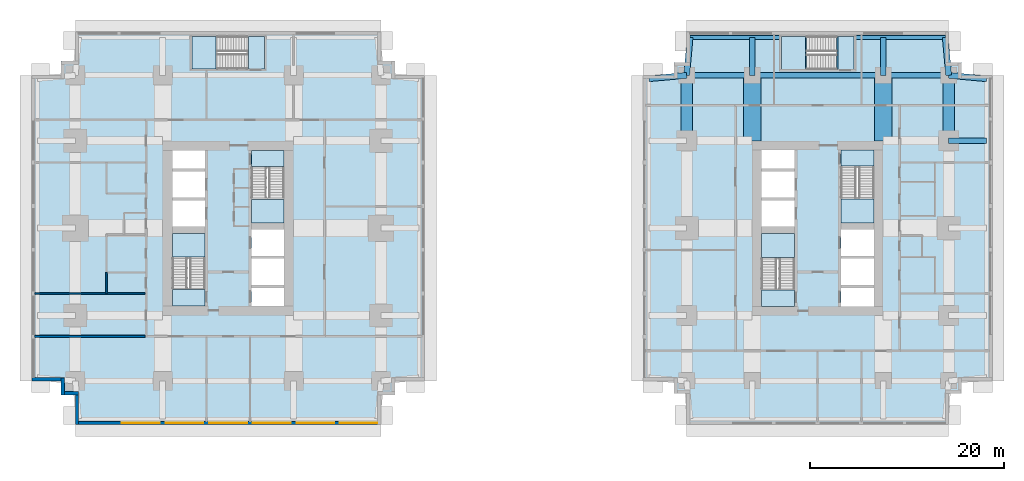
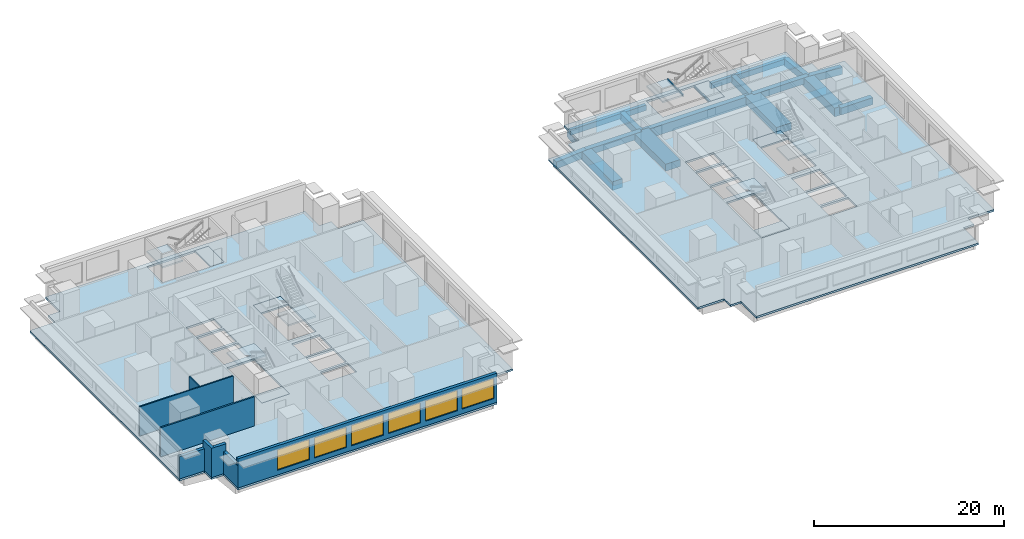
# One storey, part 2 of 11: 18 beams, 14 slabs, 8 walls, 6 windows, 6 openings, 6 elements without a shape of their own.
"""IFC4 building model written with IfcOpenShell, lengths in metres."""

from ifc_helpers import new_model, si_unit, direction, frame, frame_2d, origin, origin_2d, place, context, subcontext, project, spatial, polyline, rectangle, i_section, outline, extrude, material, layer, layer_set, material_profile, profile_set, type_object, element, fill, aggregate, save


model = new_model("IFC4")

# Units and contexts
model_context = context("Model", 3, precision=1e-05, world=origin(), true_north=direction((0.0, 1.0)))
body_context = subcontext(model_context, "Body", "Model", "MODEL_VIEW")
ifc_project = project(units=[si_unit("LENGTHUNIT", "METRE"), si_unit("AREAUNIT", "SQUARE_METRE"), si_unit("VOLUMEUNIT", "CUBIC_METRE"), si_unit("PLANEANGLEUNIT", "RADIAN"), si_unit("MASSUNIT", "GRAM", prefix="KILO")], contexts=[model_context])

# Site, building, storey
site_placement = place(None, origin())
site = spatial("IfcSite", under=ifc_project, at=site_placement, CompositionType="ELEMENT")
building_placement = place(site_placement, origin())
building = spatial("IfcBuilding", under=site, at=building_placement, Name="Namib Vertical Campus", CompositionType="ELEMENT")
storey_placement = place(building_placement, frame((0.0, 0.0, 61.0)))
storey = spatial("IfcBuildingStorey", under=building, at=storey_placement, Name="L14", CompositionType="ELEMENT", Elevation=61.0)

# Beams
ifc_material_1 = material(Name="Concrete C40/50", Category="concrete")
ifc_material_profile_1 = material_profile(ifc_material_1, rectangle(XDim=0.60009765625, YDim=0.89990234375, at=origin_2d()))
ifc_profile_set_1 = profile_set([ifc_material_profile_1], Name="Concrete C40/50")
beam_type_1 = type_object("IfcBeamType", Name="Cantilever girder RC 600x900", PredefinedType="BEAM", material=ifc_profile_set_1)
beam_1_placement = place(storey_placement, frame((67.5, 36.0, -0.699951171875), z_axis=(0.089411326146, 0.995994786511, 0.0), x_axis=(-0.995994786511, 0.089411326146, 0.0)))
element("IfcBeam", 1, at=beam_1_placement, inside=storey, type_object=beam_type_1, Name="Beam B3 L14", PredefinedType="BEAM", context=body_context, shape_type="SweptSolid", body=[
    extrude(rectangle(XDim=0.60009765625, YDim=0.89990234375, at=origin_2d()), origin(), (0.0, 0.0, 1.0), 3.91552734375),
])
for number, where, z_axis, x_axis, name in (
    (2, (74.25, 36.0, -0.699951171875), (0.0, 1.0, 0.0), (-1.0, 0.0, 0.0), "Beam B3 L14"),
    (3, (87.75, 36.0, -0.699951171875), (0.0, 1.0, 0.0), (-1.0, 0.0, 0.0), "Beam B3 L14"),
):
    element("IfcBeam", number, at=place(storey_placement, frame(where, z_axis=z_axis, x_axis=x_axis)), inside=storey, type_object=beam_type_1, Name=name, PredefinedType="BEAM", context=body_context, shape_type="SweptSolid", body=[
        extrude(rectangle(XDim=0.60009765625, YDim=0.89990234375, at=origin_2d()), origin(), (0.0, 0.0, 1.0), 3.89990234375),
    ])
for number, where, z_axis, x_axis, name in (
    (4, (94.5, 36.0, -0.699951171875), (-0.089411326146, 0.995994786511, 0.0), (-0.995994786511, -0.089411326146, 0.0), "Beam B3 L14"),
    (5, (67.5, 36.0, -0.699951171875), (-0.995994786511, -0.089411326146, 0.0), (0.089411326146, -0.995994786511, 0.0), "Beam B3 L14"),
):
    element("IfcBeam", number, at=place(storey_placement, frame(where, z_axis=z_axis, x_axis=x_axis)), inside=storey, type_object=beam_type_1, Name=name, PredefinedType="BEAM", context=body_context, shape_type="SweptSolid", body=[
        extrude(rectangle(XDim=0.60009765625, YDim=0.89990234375, at=origin_2d()), origin(), (0.0, 0.0, 1.0), 3.91552734375),
    ])
beam_2_placement = place(storey_placement, frame((94.5, 29.25, -0.699951171875), z_axis=(1.0, 0.0, 0.0), x_axis=(0.0, 1.0, 0.0)))
element("IfcBeam", 6, at=beam_2_placement, inside=storey, type_object=beam_type_1, Name="Beam B3 L14", PredefinedType="BEAM", context=body_context, shape_type="SweptSolid", body=[
    extrude(rectangle(XDim=0.60009765625, YDim=0.89990234375, at=origin_2d()), origin(), (0.0, 0.0, 1.0), 3.89990234375),
])
beam_3_placement = place(storey_placement, frame((94.5, 36.0, -0.699951171875), z_axis=(0.995994786511, -0.089411326146, 0.0), x_axis=(0.089411326146, 0.995994786511, 0.0)))
element("IfcBeam", 7, at=beam_3_placement, inside=storey, type_object=beam_type_1, Name="Beam B3 L14", PredefinedType="BEAM", context=body_context, shape_type="SweptSolid", body=[
    extrude(rectangle(XDim=0.60009765625, YDim=0.89990234375, at=origin_2d()), origin(), (0.0, 0.0, 1.0), 3.91552734375),
])
ifc_material_2 = material(Name="Concrete C40/50", Category="concrete")
ifc_material_profile_2 = material_profile(ifc_material_2, rectangle(XDim=0.39990234375, YDim=0.699951171875, at=origin_2d()))
ifc_profile_set_2 = profile_set([ifc_material_profile_2], Name="Concrete C40/50")
beam_type_2 = type_object("IfcBeamType", Name="Edge beam RC 400x700", PredefinedType="SPANDREL", material=ifc_profile_set_2)
for number, where, z_axis, x_axis, name in (
    (8, (67.85009765625, 39.89990234375, -0.60009765625), (1.0, 0.0, 0.0), (0.0, 1.0, 0.0), "Beam B4 L14"),
    (9, (84.949951171875, 39.89990234375, -0.60009765625), (1.0, 0.0, 0.0), (0.0, 1.0, 0.0), "Beam B4 L14"),
):
    element("IfcBeam", number, at=place(storey_placement, frame(where, z_axis=z_axis, x_axis=x_axis)), inside=storey, type_object=beam_type_2, Name=name, PredefinedType="SPANDREL", context=body_context, shape_type="SweptSolid", body=[
        extrude(rectangle(XDim=0.39990234375, YDim=0.699951171875, at=origin_2d()), origin(), (0.0, 0.0, 1.0), 9.199951171875),
    ])
ifc_material_3 = material(Name="Concrete C40/50", Category="concrete")
ifc_material_profile_3 = material_profile(ifc_material_3, rectangle(XDim=1.199951171875, YDim=1.10009765625, at=origin_2d()))
ifc_profile_set_3 = profile_set([ifc_material_profile_3], Name="Concrete C40/50")
beam_type_3 = type_object("IfcBeamType", Name="Face ring beam RC 1200x1100", PredefinedType="BEAM", material=ifc_profile_set_3)
for number, where, z_axis, x_axis, name in (
    (10, (67.5, 29.25, -0.800048828125), (0.0, 1.0, 0.0), (-1.0, 0.0, 0.0), "Beam B11 L14"),
    (11, (94.5, 29.25, -0.800048828125), (0.0, 1.0, 0.0), (-1.0, 0.0, 0.0), "Beam B11 L14"),
):
    element("IfcBeam", number, at=place(storey_placement, frame(where, z_axis=z_axis, x_axis=x_axis)), inside=storey, type_object=beam_type_3, Name=name, PredefinedType="BEAM", context=body_context, shape_type="SweptSolid", body=[
        extrude(rectangle(XDim=1.199951171875, YDim=1.10009765625, at=origin_2d()), origin(), (0.0, 0.0, 1.0), 6.75),
    ])
ifc_material_4 = material(Name="Steel S355JR", Category="steel")
ifc_material_profile_4 = material_profile(ifc_material_4, i_section(OverallWidth=0.14599609375, OverallDepth=0.25146484375, WebThickness=0.006103515625, FlangeThickness=0.008544921875, FilletRadius=0.007568359375, at=origin_2d()))
ifc_profile_set_4 = profile_set([ifc_material_profile_4], Name="Steel S355JR")
beam_type_4 = type_object("IfcBeamType", Name="Landing trimmer UB 254x146x31", PredefinedType="BEAM", material=ifc_profile_set_4)
for number, where, z_axis, x_axis, name in (
    (12, (83.02294921875, 36.60009765625, -0.125732421875), (0.0, 1.0, 0.0), (-1.0, 0.0, 0.0), "Landing trimmer LT1 B-S3 L14 1"),
    (13, (79.796875, 36.60009765625, 1.874267578125), (0.0, 1.0, 0.0), (-1.0, 0.0, 0.0), "Landing trimmer LT1 B-S3 L14 2"),
):
    element("IfcBeam", number, at=place(storey_placement, frame(where, z_axis=z_axis, x_axis=x_axis)), inside=storey, type_object=beam_type_4, Name=name, PredefinedType="BEAM", context=body_context, shape_type="SweptSolid", body=[
        extrude(i_section(OverallWidth=0.14599609375, OverallDepth=0.25146484375, WebThickness=0.006103515625, FlangeThickness=0.008544921875, FilletRadius=0.007568359375, at=origin_2d()), origin(), (0.0, 0.0, 1.0), 3.39990234375),
    ])
ifc_material_5 = material(Name="Concrete C40/50", Category="concrete")
ifc_material_profile_5 = material_profile(ifc_material_5, rectangle(XDim=0.60009765625, YDim=1.199951171875, at=origin_2d()))
ifc_profile_set_5 = profile_set([ifc_material_profile_5], Name="Concrete C40/50")
beam_type_5 = type_object("IfcBeamType", Name="Long-span ring beam RC 600x1200", PredefinedType="BEAM", material=ifc_profile_set_5)
beam_4_placement = place(storey_placement, frame((74.25, 36.0, -0.85009765625), z_axis=(1.0, 0.0, 0.0), x_axis=(0.0, 1.0, 0.0)))
element("IfcBeam", 14, at=beam_4_placement, inside=storey, type_object=beam_type_5, Name="Beam B9 L14", PredefinedType="BEAM", context=body_context, shape_type="SweptSolid", body=[
    extrude(rectangle(XDim=0.60009765625, YDim=1.199951171875, at=origin_2d()), origin(), (0.0, 0.0, 1.0), 13.5),
])
ifc_material_6 = material(Name="Concrete C40/50", Category="concrete")
ifc_material_profile_6 = material_profile(ifc_material_6, rectangle(XDim=1.800048828125, YDim=0.89990234375, at=origin_2d()))
ifc_profile_set_6 = profile_set([ifc_material_profile_6], Name="Concrete C40/50")
beam_type_6 = type_object("IfcBeamType", Name="Outrigger line girder RC 1800x900", PredefinedType="BEAM", material=ifc_profile_set_6)
for number, where, z_axis, x_axis, name in (
    (15, (74.25, 36.0, -0.699951171875), (0.0, -1.0, 0.0), (1.0, 0.0, 0.0), "Beam B12 L14"),
    (16, (87.75, 36.0, -0.699951171875), (0.0, -1.0, 0.0), (1.0, 0.0, 0.0), "Beam B12 L14"),
):
    element("IfcBeam", number, at=place(storey_placement, frame(where, z_axis=z_axis, x_axis=x_axis)), inside=storey, type_object=beam_type_6, Name=name, PredefinedType="BEAM", context=body_context, shape_type="SweptSolid", body=[
        extrude(rectangle(XDim=1.800048828125, YDim=0.89990234375, at=origin_2d()), origin(), (0.0, 0.0, 1.0), 6.75),
    ])
ifc_material_7 = material(Name="Concrete C40/50", Category="concrete")
ifc_material_profile_7 = material_profile(ifc_material_7, rectangle(XDim=0.60009765625, YDim=0.800048828125, at=origin_2d()))
ifc_profile_set_7 = profile_set([ifc_material_profile_7], Name="Concrete C40/50")
beam_type_7 = type_object("IfcBeamType", Name="Ring beam RC 600x800", PredefinedType="BEAM", material=ifc_profile_set_7)
for number, where, z_axis, x_axis, name in (
    (17, (67.5, 36.0, -0.64990234375), (1.0, 0.0, 0.0), (0.0, 1.0, 0.0), "Beam B1 L14"),
    (18, (87.75, 36.0, -0.64990234375), (1.0, 0.0, 0.0), (0.0, 1.0, 0.0), "Beam B1 L14"),
):
    element("IfcBeam", number, at=place(storey_placement, frame(where, z_axis=z_axis, x_axis=x_axis)), inside=storey, type_object=beam_type_7, Name=name, PredefinedType="BEAM", context=body_context, shape_type="SweptSolid", body=[
        extrude(rectangle(XDim=0.60009765625, YDim=0.800048828125, at=origin_2d()), origin(), (0.0, 0.0, 1.0), 6.75),
    ])

# Slabs
ifc_material_8 = material(Name="Concrete C40/50", Category="concrete")
ifc_layer_1 = layer(ifc_material_8, 0.25)
ifc_layer_set_1 = layer_set([ifc_layer_1], Name="Concrete C40/50")
slab_type_1 = type_object("IfcSlabType", Name="Floor slab 250", PredefinedType="FLOOR", material=ifc_layer_set_1)
slab_1_placement = place(storey_placement, frame((0.0, 0.0, -0.25)))
element("IfcSlab", 19, at=slab_1_placement, inside=storey, type_object=slab_type_1, Name="Floor slab A L14", PredefinedType="FLOOR", context=body_context, shape_type="SweptSolid", body=[
    extrude(outline(polyline([(4.5, 0.0), (36.0, 0.0), (36.0, 3.050048828125), (37.449951171875, 3.050048828125), (37.449951171875, 4.5), (40.5, 4.5), (40.5, 36.0), (37.449951171875, 36.0), (37.449951171875, 37.449951171875), (36.0, 37.449951171875), (36.0, 40.5), (4.5, 40.5), (4.5, 37.449951171875), (3.050048828125, 37.449951171875), (3.050048828125, 36.0), (0.0, 36.0), (0.0, 4.5), (3.050048828125, 4.5), (3.050048828125, 3.050048828125), (4.5, 3.050048828125), (4.5, 0.0)]), holes=[polyline([(14.5, 12.25), (17.85009765625, 12.25), (17.85009765625, 19.699951171875), (14.5, 19.699951171875), (14.5, 12.25)]), polyline([(22.64990234375, 20.800048828125), (26.0, 20.800048828125), (26.0, 28.25), (22.64990234375, 28.25), (22.64990234375, 20.800048828125)]), polyline([(22.64990234375, 12.25), (26.0, 12.25), (26.0, 14.10009765625), (22.64990234375, 14.10009765625), (22.64990234375, 12.25)]), polyline([(14.5, 20.39990234375), (17.85009765625, 20.39990234375), (17.85009765625, 23.10009765625), (14.5, 23.10009765625), (14.5, 20.39990234375)]), polyline([(14.5, 23.39990234375), (17.85009765625, 23.39990234375), (17.85009765625, 26.10009765625), (14.5, 26.10009765625), (14.5, 23.39990234375)]), polyline([(14.5, 26.39990234375), (17.85009765625, 26.39990234375), (17.85009765625, 28.25), (14.5, 28.25), (14.5, 26.39990234375)]), polyline([(22.64990234375, 14.39990234375), (26.0, 14.39990234375), (26.0, 17.10009765625), (22.64990234375, 17.10009765625), (22.64990234375, 14.39990234375)]), polyline([(22.64990234375, 17.39990234375), (26.0, 17.39990234375), (26.0, 20.10009765625), (22.64990234375, 20.10009765625), (22.64990234375, 17.39990234375)]), polyline([(16.5, 36.64990234375), (24.0, 36.64990234375), (24.0, 40.0), (16.5, 40.0), (16.5, 36.64990234375)])]), origin(), (0.0, 0.0, 1.0), 0.25),
])
slab_2_placement = place(storey_placement, frame((0.0, 0.0, -0.25)))
element("IfcSlab", 20, at=slab_2_placement, inside=storey, type_object=slab_type_1, Name="Floor slab B L14", PredefinedType="FLOOR", context=body_context, shape_type="SweptSolid", body=[
    extrude(outline(polyline([(67.5, 0.0), (94.5, 0.0), (94.5, 3.199951171875), (95.800048828125, 3.199951171875), (95.800048828125, 4.5), (99.0, 4.5), (99.0, 36.0), (95.800048828125, 36.0), (95.800048828125, 37.300048828125), (94.5, 37.300048828125), (94.5, 40.5), (67.5, 40.5), (67.5, 37.300048828125), (66.199951171875, 37.300048828125), (66.199951171875, 36.0), (63.0, 36.0), (63.0, 4.5), (66.199951171875, 4.5), (66.199951171875, 3.199951171875), (67.5, 3.199951171875), (67.5, 0.0)]), holes=[polyline([(75.199951171875, 12.199951171875), (78.60009765625, 12.199951171875), (78.60009765625, 19.699951171875), (75.199951171875, 19.699951171875), (75.199951171875, 12.199951171875)]), polyline([(83.39990234375, 20.800048828125), (86.800048828125, 20.800048828125), (86.800048828125, 28.300048828125), (83.39990234375, 28.300048828125), (83.39990234375, 20.800048828125)]), polyline([(83.39990234375, 12.199951171875), (86.800048828125, 12.199951171875), (86.800048828125, 14.10009765625), (83.39990234375, 14.10009765625), (83.39990234375, 12.199951171875)]), polyline([(75.199951171875, 20.39990234375), (78.60009765625, 20.39990234375), (78.60009765625, 23.10009765625), (75.199951171875, 23.10009765625), (75.199951171875, 20.39990234375)]), polyline([(75.199951171875, 23.39990234375), (78.60009765625, 23.39990234375), (78.60009765625, 26.10009765625), (75.199951171875, 26.10009765625), (75.199951171875, 23.39990234375)]), polyline([(75.199951171875, 26.39990234375), (78.60009765625, 26.39990234375), (78.60009765625, 28.300048828125), (75.199951171875, 28.300048828125), (75.199951171875, 26.39990234375)]), polyline([(83.39990234375, 14.39990234375), (86.800048828125, 14.39990234375), (86.800048828125, 17.10009765625), (83.39990234375, 17.10009765625), (83.39990234375, 14.39990234375)]), polyline([(83.39990234375, 17.39990234375), (86.800048828125, 17.39990234375), (86.800048828125, 20.10009765625), (83.39990234375, 20.10009765625), (83.39990234375, 17.39990234375)]), polyline([(77.25, 36.60009765625), (84.75, 36.60009765625), (84.75, 40.0), (77.25, 40.0), (77.25, 36.60009765625)])]), origin(), (0.0, 0.0, 1.0), 0.25),
])

# Stair, slabs
ifc_material_9 = material(Name="Concrete C40/50 precast", Category="concrete")
stair_type_1 = type_object("IfcStairType", Name="Exit stair 4000 rise 24 risers 3350 wide", PredefinedType="HALF_TURN_STAIR", material=ifc_material_9)
stair_1_placement = place(storey_placement, origin())
stair_1 = element("IfcStair", 21, at=stair_1_placement, inside=storey, type_object=stair_type_1, Name="Exit stair A-S1 L14", PredefinedType="HALF_TURN_STAIR")
ifc_material_10 = material(Name="Concrete C40/50", Category="concrete")
ifc_layer_2 = layer(ifc_material_10, 0.199951171875)
ifc_layer_set_2 = layer_set([ifc_layer_2], Name="Concrete C40/50")
slab_type_2 = type_object("IfcSlabType", Name="Stair landing 200", PredefinedType="LANDING", material=ifc_layer_set_2)
slab_3_placement = place(storey_placement, frame((0.0, 0.0, -0.199951171875)))
slab_3 = element("IfcSlab", 22, at=slab_3_placement, type_object=slab_type_2, Name="A-S1 landing 1", PredefinedType="LANDING", context=body_context, shape_type="SweptSolid", body=[
    extrude(outline(polyline([(14.5, 12.25), (17.85009765625, 12.25), (17.85009765625, 13.90380859375), (14.5, 13.90380859375), (14.5, 12.25)])), origin(), (0.0, 0.0, 1.0), 0.199951171875),
])
slab_4_placement = place(storey_placement, frame((0.0, 0.0, 1.800048828125)))
slab_4 = element("IfcSlab", 23, at=slab_4_placement, type_object=slab_type_2, Name="A-S1 landing 2", PredefinedType="LANDING", context=body_context, shape_type="SweptSolid", body=[
    extrude(outline(polyline([(14.5, 17.276123046875), (17.85009765625, 17.276123046875), (17.85009765625, 19.699951171875), (14.5, 19.699951171875), (14.5, 17.276123046875)])), origin(), (0.0, 0.0, 1.0), 0.199951171875),
])
aggregate(stair_1, [slab_3, slab_4])

stair_2_placement = place(storey_placement, origin())
stair_2 = element("IfcStair", 24, at=stair_2_placement, inside=storey, type_object=stair_type_1, Name="Exit stair A-S2 L14", PredefinedType="HALF_TURN_STAIR")
slab_5_placement = place(storey_placement, frame((0.0, 0.0, -0.199951171875)))
slab_5 = element("IfcSlab", 25, at=slab_5_placement, type_object=slab_type_2, Name="A-S2 landing 1", PredefinedType="LANDING", context=body_context, shape_type="SweptSolid", body=[
    extrude(outline(polyline([(22.64990234375, 26.59619140625), (26.0, 26.59619140625), (26.0, 28.25), (22.64990234375, 28.25), (22.64990234375, 26.59619140625)])), origin(), (0.0, 0.0, 1.0), 0.199951171875),
])
slab_6_placement = place(storey_placement, frame((0.0, 0.0, 1.800048828125)))
slab_6 = element("IfcSlab", 26, at=slab_6_placement, type_object=slab_type_2, Name="A-S2 landing 2", PredefinedType="LANDING", context=body_context, shape_type="SweptSolid", body=[
    extrude(outline(polyline([(22.64990234375, 20.800048828125), (26.0, 20.800048828125), (26.0, 23.223876953125), (22.64990234375, 23.223876953125), (22.64990234375, 20.800048828125)])), origin(), (0.0, 0.0, 1.0), 0.199951171875),
])
aggregate(stair_2, [slab_5, slab_6])

ifc_material_11 = material(Name="Concrete C40/50 precast", Category="concrete")
stair_type_2 = type_object("IfcStairType", Name="Exit stair 4000 rise 24 risers 3400 wide", PredefinedType="HALF_TURN_STAIR", material=ifc_material_11)
stair_3_placement = place(storey_placement, origin())
stair_3 = element("IfcStair", 27, at=stair_3_placement, inside=storey, type_object=stair_type_2, Name="Exit stair B-S1 L14", PredefinedType="HALF_TURN_STAIR")
slab_7_placement = place(storey_placement, frame((0.0, 0.0, -0.199951171875)))
slab_7 = element("IfcSlab", 28, at=slab_7_placement, type_object=slab_type_2, Name="B-S1 landing 1", PredefinedType="LANDING", context=body_context, shape_type="SweptSolid", body=[
    extrude(outline(polyline([(75.199951171875, 12.199951171875), (78.60009765625, 12.199951171875), (78.60009765625, 13.85400390625), (75.199951171875, 13.85400390625), (75.199951171875, 12.199951171875)])), origin(), (0.0, 0.0, 1.0), 0.199951171875),
])
slab_8_placement = place(storey_placement, frame((0.0, 0.0, 1.800048828125)))
slab_8 = element("IfcSlab", 29, at=slab_8_placement, type_object=slab_type_2, Name="B-S1 landing 2", PredefinedType="LANDING", context=body_context, shape_type="SweptSolid", body=[
    extrude(outline(polyline([(75.199951171875, 17.22607421875), (78.60009765625, 17.22607421875), (78.60009765625, 19.699951171875), (75.199951171875, 19.699951171875), (75.199951171875, 17.22607421875)])), origin(), (0.0, 0.0, 1.0), 0.199951171875),
])
aggregate(stair_3, [slab_7, slab_8])

stair_4_placement = place(storey_placement, origin())
stair_4 = element("IfcStair", 30, at=stair_4_placement, inside=storey, type_object=stair_type_2, Name="Exit stair B-S2 L14", PredefinedType="HALF_TURN_STAIR")
slab_9_placement = place(storey_placement, frame((0.0, 0.0, -0.199951171875)))
slab_9 = element("IfcSlab", 31, at=slab_9_placement, type_object=slab_type_2, Name="B-S2 landing 1", PredefinedType="LANDING", context=body_context, shape_type="SweptSolid", body=[
    extrude(outline(polyline([(83.39990234375, 26.64599609375), (86.800048828125, 26.64599609375), (86.800048828125, 28.300048828125), (83.39990234375, 28.300048828125), (83.39990234375, 26.64599609375)])), origin(), (0.0, 0.0, 1.0), 0.199951171875),
])
slab_10_placement = place(storey_placement, frame((0.0, 0.0, 1.800048828125)))
slab_10 = element("IfcSlab", 32, at=slab_10_placement, type_object=slab_type_2, Name="B-S2 landing 2", PredefinedType="LANDING", context=body_context, shape_type="SweptSolid", body=[
    extrude(outline(polyline([(83.39990234375, 20.800048828125), (86.800048828125, 20.800048828125), (86.800048828125, 23.27392578125), (83.39990234375, 23.27392578125), (83.39990234375, 20.800048828125)])), origin(), (0.0, 0.0, 1.0), 0.199951171875),
])
aggregate(stair_4, [slab_9, slab_10])

stair_5_placement = place(storey_placement, origin())
stair_5 = element("IfcStair", 33, at=stair_5_placement, inside=storey, type_object=stair_type_1, Name="Exit stair A-S3 L14", PredefinedType="HALF_TURN_STAIR")
slab_11_placement = place(storey_placement, frame((0.0, 0.0, -0.199951171875)))
slab_11 = element("IfcSlab", 34, at=slab_11_placement, type_object=slab_type_2, Name="A-S3 landing 1", PredefinedType="LANDING", context=body_context, shape_type="SweptSolid", body=[
    extrude(outline(polyline([(22.34619140625, 36.64990234375), (22.34619140625, 40.0), (24.0, 40.0), (24.0, 36.64990234375), (22.34619140625, 36.64990234375)])), origin(), (0.0, 0.0, 1.0), 0.199951171875),
])
slab_12_placement = place(storey_placement, frame((0.0, 0.0, 1.800048828125)))
slab_12 = element("IfcSlab", 35, at=slab_12_placement, type_object=slab_type_2, Name="A-S3 landing 2", PredefinedType="LANDING", context=body_context, shape_type="SweptSolid", body=[
    extrude(outline(polyline([(16.5, 36.64990234375), (16.5, 40.0), (18.973876953125, 40.0), (18.973876953125, 36.64990234375), (16.5, 36.64990234375)])), origin(), (0.0, 0.0, 1.0), 0.199951171875),
])
aggregate(stair_5, [slab_11, slab_12])

stair_6_placement = place(storey_placement, origin())
stair_6 = element("IfcStair", 36, at=stair_6_placement, inside=storey, type_object=stair_type_2, Name="Exit stair B-S3 L14", PredefinedType="HALF_TURN_STAIR")
slab_13_placement = place(storey_placement, frame((0.0, 0.0, -0.199951171875)))
slab_13 = element("IfcSlab", 37, at=slab_13_placement, type_object=slab_type_2, Name="B-S3 landing 1", PredefinedType="LANDING", context=body_context, shape_type="SweptSolid", body=[
    extrude(outline(polyline([(83.09619140625, 36.60009765625), (83.09619140625, 40.0), (84.75, 40.0), (84.75, 36.60009765625), (83.09619140625, 36.60009765625)])), origin(), (0.0, 0.0, 1.0), 0.199951171875),
])
slab_14_placement = place(storey_placement, frame((0.0, 0.0, 1.800048828125)))
slab_14 = element("IfcSlab", 38, at=slab_14_placement, type_object=slab_type_2, Name="B-S3 landing 2", PredefinedType="LANDING", context=body_context, shape_type="SweptSolid", body=[
    extrude(outline(polyline([(77.25, 36.60009765625), (77.25, 40.0), (79.723876953125, 40.0), (79.723876953125, 36.60009765625), (77.25, 36.60009765625)])), origin(), (0.0, 0.0, 1.0), 0.199951171875),
])
aggregate(stair_6, [slab_13, slab_14])

# Wall
ifc_material_12 = material(Name="Concrete masonry", Category="masonry")
ifc_layer_3 = layer(ifc_material_12, 0.199951171875)
ifc_layer_set_3 = layer_set([ifc_layer_3], Name="Corridor wall 200")
wall_type_1 = type_object("IfcWallType", Name="Corridor wall 200", PredefinedType="SOLIDWALL", material=ifc_layer_set_3)
wall_1_placement = place(storey_placement, frame((0.300048828125, 9.10009765625, 0.0), z_axis=(0.0, 0.0, 1.0), x_axis=(1.0, 0.0, 0.0)))
element("IfcWall", 39, at=wall_1_placement, inside=storey, type_object=wall_type_1, Name="Partition A L14 BSW", PredefinedType="SOLIDWALL", context=body_context, shape_type="SweptSolid", body=[
    extrude(rectangle(XDim=11.39990234375, YDim=0.199951171875, at=frame_2d((5.699951171875, 0.0))), origin(), (0.0, 0.0, 1.0), 3.75),
])

# Wall, openings, windows
ifc_material_13 = material(Name="Concrete C40/50", Category="concrete")
ifc_layer_4 = layer(ifc_material_13, 0.35009765625)
ifc_layer_set_4 = layer_set([ifc_layer_4], Name="Concrete C40/50")
wall_type_2 = type_object("IfcWallType", Name="External wall 350 bush-hammered concrete", PredefinedType="STANDARD", material=ifc_layer_set_4)
wall_2_placement = place(storey_placement, frame((4.52001953125, 0.175048828125, 0.0), z_axis=(0.0, 0.0, 1.0), x_axis=(1.0, 0.0, 0.0)))
wall_2 = element("IfcWall", 40, at=wall_2_placement, inside=storey, type_object=wall_type_2, Name="External wall L14 F01", PredefinedType="STANDARD", context=body_context, shape_type="SweptSolid", body=[
    extrude(rectangle(XDim=31.4599609375, YDim=0.35009765625, at=frame_2d((15.72998046875, 0.0))), origin(), (0.0, 0.0, 1.0), 3.75),
])
opening_1_placement = place(wall_2_placement, frame((4.780029296875, 0.0, 0.60009765625)))
opening_1 = element("IfcOpeningElement", 41, at=opening_1_placement, cuts=wall_2, Name="Opening W2", PredefinedType="OPENING", context=body_context, shape_type="SweptSolid", body=[
    extrude(rectangle(XDim=3.89990234375, YDim=2.60009765625, at=frame_2d((1.949951171875, 1.300048828125))), frame((0.0, 0.18505859375, 0.0), z_axis=(0.0, -1.0, 0.0), x_axis=(1.0, 0.0, 0.0)), (0.0, 0.0, 1.0), 0.3701171875),
])
opening_2_placement = place(wall_2_placement, frame((9.280029296875, 0.0, 0.60009765625)))
opening_2 = element("IfcOpeningElement", 42, at=opening_2_placement, cuts=wall_2, Name="Opening W2", PredefinedType="OPENING", context=body_context, shape_type="SweptSolid", body=[
    extrude(rectangle(XDim=3.89990234375, YDim=2.60009765625, at=frame_2d((1.949951171875, 1.300048828125))), frame((0.0, 0.18505859375, 0.0), z_axis=(0.0, -1.0, 0.0), x_axis=(1.0, 0.0, 0.0)), (0.0, 0.0, 1.0), 0.3701171875),
])
opening_3_placement = place(wall_2_placement, frame((13.780029296875, 0.0, 0.60009765625)))
opening_3 = element("IfcOpeningElement", 43, at=opening_3_placement, cuts=wall_2, Name="Opening W2", PredefinedType="OPENING", context=body_context, shape_type="SweptSolid", body=[
    extrude(rectangle(XDim=3.89990234375, YDim=2.60009765625, at=frame_2d((1.949951171875, 1.300048828125))), frame((0.0, 0.18505859375, 0.0), z_axis=(0.0, -1.0, 0.0), x_axis=(1.0, 0.0, 0.0)), (0.0, 0.0, 1.0), 0.3701171875),
])
opening_4_placement = place(wall_2_placement, frame((18.280029296875, 0.0, 0.60009765625)))
opening_4 = element("IfcOpeningElement", 44, at=opening_4_placement, cuts=wall_2, Name="Opening W2", PredefinedType="OPENING", context=body_context, shape_type="SweptSolid", body=[
    extrude(rectangle(XDim=3.89990234375, YDim=2.60009765625, at=frame_2d((1.949951171875, 1.300048828125))), frame((0.0, 0.18505859375, 0.0), z_axis=(0.0, -1.0, 0.0), x_axis=(1.0, 0.0, 0.0)), (0.0, 0.0, 1.0), 0.3701171875),
])
opening_5_placement = place(wall_2_placement, frame((22.780029296875, 0.0, 0.60009765625)))
opening_5 = element("IfcOpeningElement", 45, at=opening_5_placement, cuts=wall_2, Name="Opening W2", PredefinedType="OPENING", context=body_context, shape_type="SweptSolid", body=[
    extrude(rectangle(XDim=3.89990234375, YDim=2.60009765625, at=frame_2d((1.949951171875, 1.300048828125))), frame((0.0, 0.18505859375, 0.0), z_axis=(0.0, -1.0, 0.0), x_axis=(1.0, 0.0, 0.0)), (0.0, 0.0, 1.0), 0.3701171875),
])
opening_6_placement = place(wall_2_placement, frame((27.2099609375, 0.0, 0.60009765625)))
opening_6 = element("IfcOpeningElement", 46, at=opening_6_placement, cuts=wall_2, Name="Opening W2", PredefinedType="OPENING", context=body_context, shape_type="SweptSolid", body=[
    extrude(rectangle(XDim=3.89990234375, YDim=2.60009765625, at=frame_2d((1.949951171875, 1.300048828125))), frame((0.0, 0.18505859375, 0.0), z_axis=(0.0, -1.0, 0.0), x_axis=(1.0, 0.0, 0.0)), (0.0, 0.0, 1.0), 0.3701171875),
])
ifc_material_14 = material(Name="Dark tinted glass in black aluminium frame", Category="aluminium")
window_type = type_object("IfcWindowType", Name="Ribbon window 3900x2600", PartitioningType="SINGLE_PANEL", PredefinedType="WINDOW", material=ifc_material_14)
window_1_placement = place(opening_1_placement, origin())
window_1 = element("IfcWindow", 47, at=window_1_placement, inside=storey, type_object=window_type, Name="Window W2 L14 F01-2", OverallHeight=2.60009765625, OverallWidth=3.89990234375, PartitioningType="SINGLE_PANEL", PredefinedType="WINDOW", context=body_context, shape_type="SweptSolid", body=[
    extrude(rectangle(XDim=3.89990234375, YDim=2.60009765625, at=frame_2d((1.949951171875, 1.300048828125))), frame((0.0, 0.030029296875, 0.0), z_axis=(0.0, -1.0, 0.0), x_axis=(1.0, 0.0, 0.0)), (0.0, 0.0, 1.0), 0.06005859375),
])
fill(opening_1, window_1)
window_2_placement = place(opening_2_placement, origin())
window_2 = element("IfcWindow", 48, at=window_2_placement, inside=storey, type_object=window_type, Name="Window W2 L14 F01-3", OverallHeight=2.60009765625, OverallWidth=3.89990234375, PartitioningType="SINGLE_PANEL", PredefinedType="WINDOW", context=body_context, shape_type="SweptSolid", body=[
    extrude(rectangle(XDim=3.89990234375, YDim=2.60009765625, at=frame_2d((1.949951171875, 1.300048828125))), frame((0.0, 0.030029296875, 0.0), z_axis=(0.0, -1.0, 0.0), x_axis=(1.0, 0.0, 0.0)), (0.0, 0.0, 1.0), 0.06005859375),
])
fill(opening_2, window_2)
window_3_placement = place(opening_3_placement, origin())
window_3 = element("IfcWindow", 49, at=window_3_placement, inside=storey, type_object=window_type, Name="Window W2 L14 F01-4", OverallHeight=2.60009765625, OverallWidth=3.89990234375, PartitioningType="SINGLE_PANEL", PredefinedType="WINDOW", context=body_context, shape_type="SweptSolid", body=[
    extrude(rectangle(XDim=3.89990234375, YDim=2.60009765625, at=frame_2d((1.949951171875, 1.300048828125))), frame((0.0, 0.030029296875, 0.0), z_axis=(0.0, -1.0, 0.0), x_axis=(1.0, 0.0, 0.0)), (0.0, 0.0, 1.0), 0.06005859375),
])
fill(opening_3, window_3)
window_4_placement = place(opening_4_placement, origin())
window_4 = element("IfcWindow", 50, at=window_4_placement, inside=storey, type_object=window_type, Name="Window W2 L14 F01-5", OverallHeight=2.60009765625, OverallWidth=3.89990234375, PartitioningType="SINGLE_PANEL", PredefinedType="WINDOW", context=body_context, shape_type="SweptSolid", body=[
    extrude(rectangle(XDim=3.89990234375, YDim=2.60009765625, at=frame_2d((1.949951171875, 1.300048828125))), frame((0.0, 0.030029296875, 0.0), z_axis=(0.0, -1.0, 0.0), x_axis=(1.0, 0.0, 0.0)), (0.0, 0.0, 1.0), 0.06005859375),
])
fill(opening_4, window_4)
window_5_placement = place(opening_5_placement, origin())
window_5 = element("IfcWindow", 51, at=window_5_placement, inside=storey, type_object=window_type, Name="Window W2 L14 F01-6", OverallHeight=2.60009765625, OverallWidth=3.89990234375, PartitioningType="SINGLE_PANEL", PredefinedType="WINDOW", context=body_context, shape_type="SweptSolid", body=[
    extrude(rectangle(XDim=3.89990234375, YDim=2.60009765625, at=frame_2d((1.949951171875, 1.300048828125))), frame((0.0, 0.030029296875, 0.0), z_axis=(0.0, -1.0, 0.0), x_axis=(1.0, 0.0, 0.0)), (0.0, 0.0, 1.0), 0.06005859375),
])
fill(opening_5, window_5)
window_6_placement = place(opening_6_placement, origin())
window_6 = element("IfcWindow", 52, at=window_6_placement, inside=storey, type_object=window_type, Name="Window W2 L14 F01-7", OverallHeight=2.60009765625, OverallWidth=3.89990234375, PartitioningType="SINGLE_PANEL", PredefinedType="WINDOW", context=body_context, shape_type="SweptSolid", body=[
    extrude(rectangle(XDim=3.89990234375, YDim=2.60009765625, at=frame_2d((1.949951171875, 1.300048828125))), frame((0.0, 0.030029296875, 0.0), z_axis=(0.0, -1.0, 0.0), x_axis=(1.0, 0.0, 0.0)), (0.0, 0.0, 1.0), 0.06005859375),
])
fill(opening_6, window_6)

# Walls
wall_3_placement = place(storey_placement, frame((0.02001953125, 4.675048828125, 0.0), z_axis=(0.0, 0.0, 1.0), x_axis=(1.0, 0.0, 0.0)))
element("IfcWall", 53, at=wall_3_placement, inside=storey, type_object=wall_type_2, Name="External wall L14 F17", PredefinedType="STANDARD", context=body_context, shape_type="SweptSolid", body=[
    extrude(rectangle(XDim=3.35986328125, YDim=0.35009765625, at=frame_2d((1.679931640625, 0.0))), origin(), (0.0, 0.0, 1.0), 2.85009765625),
])
for number, where, z_axis, x_axis, name in (
    (54, (3.22509765625, 4.830078125, 0.0), (0.0, 0.0, 1.0), (0.0, -1.0, 0.0), "External wall L14 F18"),
    (55, (3.070068359375, 3.22509765625, 0.0), (0.0, 0.0, 1.0), (1.0, 0.0, 0.0), "External wall L14 F19"),
):
    element("IfcWall", number, at=place(storey_placement, frame(where, z_axis=z_axis, x_axis=x_axis)), inside=storey, type_object=wall_type_2, Name=name, PredefinedType="STANDARD", context=body_context, shape_type="SweptSolid", body=[
        extrude(rectangle(XDim=1.760009765625, YDim=0.35009765625, at=frame_2d((0.8798828125, 0.0))), origin(), (0.0, 0.0, 1.0), 3.75),
    ])
wall_4_placement = place(storey_placement, frame((4.675048828125, 3.3798828125, 0.0), z_axis=(0.0, 0.0, 1.0), x_axis=(0.0, -1.0, 0.0)))
element("IfcWall", 56, at=wall_4_placement, inside=storey, type_object=wall_type_2, Name="External wall L14 F20", PredefinedType="STANDARD", context=body_context, shape_type="SweptSolid", body=[
    extrude(rectangle(XDim=3.35986328125, YDim=0.35009765625, at=frame_2d((1.679931640625, 0.0))), origin(), (0.0, 0.0, 1.0), 2.85009765625),
])
ifc_material_15 = material(Name="Gypsum board on steel studs", Category="steel")
ifc_layer_5 = layer(ifc_material_15, 0.14990234375)
ifc_layer_set_5 = layer_set([ifc_layer_5], Name="Gypsum board on steel studs")
wall_type_3 = type_object("IfcWallType", Name="Partition 150", PredefinedType="PARTITIONING", material=ifc_layer_set_5)
wall_5_placement = place(storey_placement, frame((0.300048828125, 13.5, 0.0), z_axis=(0.0, 0.0, 1.0), x_axis=(1.0, 0.0, 0.0)))
element("IfcWall", 57, at=wall_5_placement, inside=storey, type_object=wall_type_3, Name="Partition A L14 PW1", PredefinedType="PARTITIONING", context=body_context, shape_type="SweptSolid", body=[
    extrude(rectangle(XDim=11.39990234375, YDim=0.14990234375, at=frame_2d((5.699951171875, 0.0))), origin(), (0.0, 0.0, 1.0), 3.75),
])
wall_6_placement = place(storey_placement, frame((7.699951171875, 13.5, 0.0), z_axis=(0.0, 0.0, 1.0), x_axis=(0.0, 1.0, 0.0)))
element("IfcWall", 58, at=wall_6_placement, inside=storey, type_object=wall_type_3, Name="Partition A L14 WB1", PredefinedType="PARTITIONING", context=body_context, shape_type="SweptSolid", body=[
    extrude(rectangle(XDim=2.199951171875, YDim=0.14990234375, at=frame_2d((1.10009765625, 0.0))), origin(), (0.0, 0.0, 1.0), 3.75),
])

save(model, "model.ifc")
